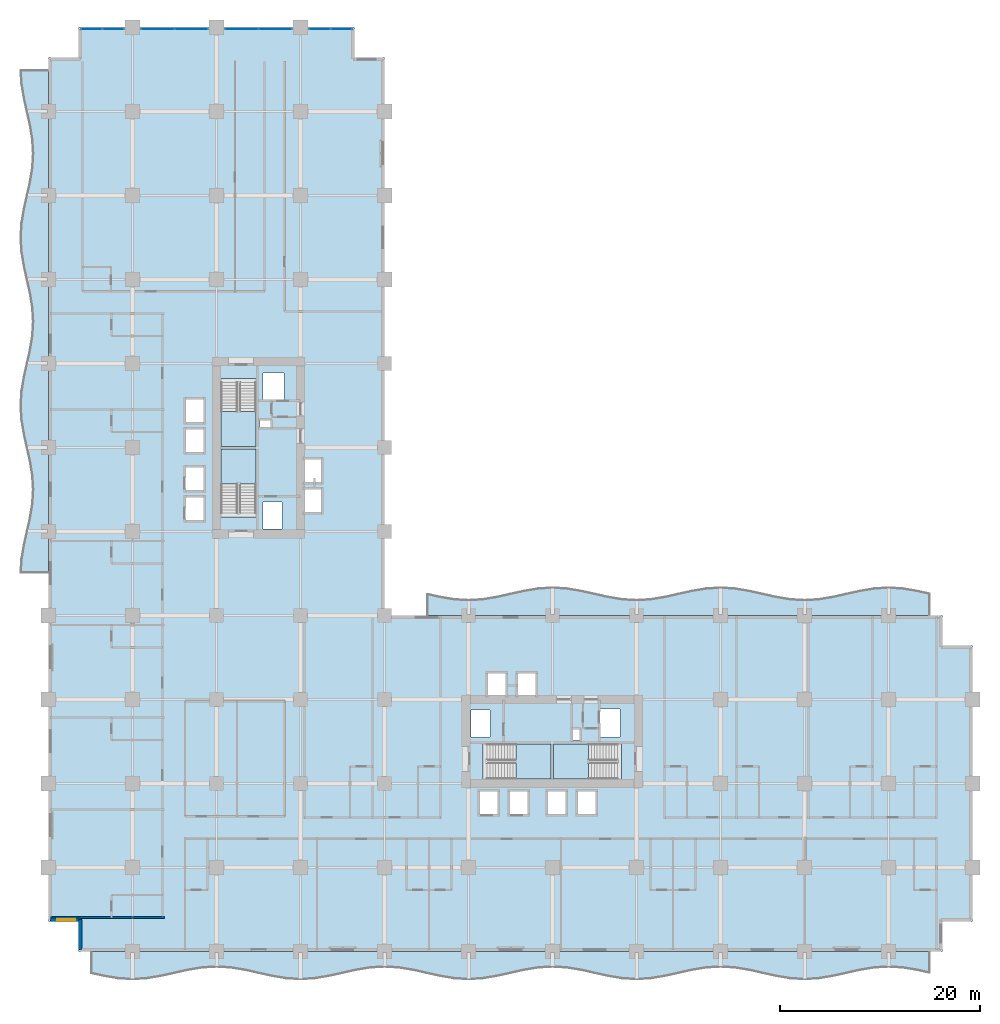
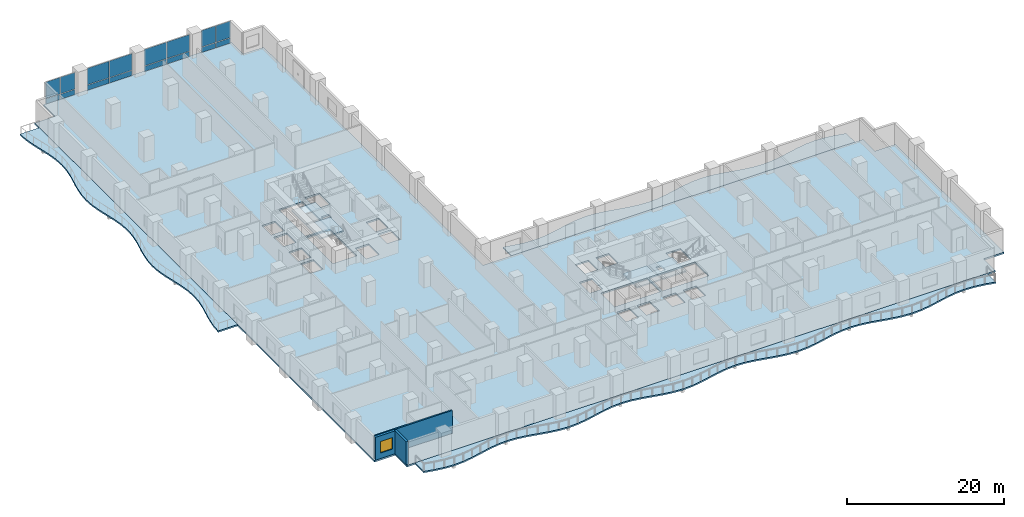
# One storey, part 6 of 24: 16 plates, 8 slabs, 3 walls, 1 window, 1 opening, 8 elements without a shape of their own.
"""IFC4 building model written with IfcOpenShell, lengths in metres."""

from ifc_helpers import new_model, si_unit, direction, frame, frame_2d, origin, origin_2d, place, context, subcontext, project, spatial, polyline, rectangle, outline, extrude, material, layer, layer_set, type_object, element, fill, aggregate, save


model = new_model("IFC4")

# Units and contexts
model_context = context("Model", 3, precision=1e-05, world=origin(), true_north=direction((0.0, 1.0)))
body_context = subcontext(model_context, "Body", "Model", "MODEL_VIEW")
ifc_project = project(units=[si_unit("LENGTHUNIT", "METRE"), si_unit("AREAUNIT", "SQUARE_METRE"), si_unit("VOLUMEUNIT", "CUBIC_METRE"), si_unit("PLANEANGLEUNIT", "RADIAN"), si_unit("MASSUNIT", "GRAM", prefix="KILO")], contexts=[model_context])

# Site, building, storey
site_placement = place(None, origin())
site = spatial("IfcSite", under=ifc_project, at=site_placement, CompositionType="ELEMENT")
building_placement = place(site_placement, origin())
building = spatial("IfcBuilding", under=site, at=building_placement, Name="Koriwani Terraces Tower", CompositionType="ELEMENT")
storey_placement = place(building_placement, frame((0.0, 0.0, 47.199951171875)))
storey = spatial("IfcBuildingStorey", under=building, at=storey_placement, Name="L10", CompositionType="ELEMENT", Elevation=47.199951171875)

# Curtain wall, plates
ifc_material_1 = material(Name="Anodised Bronze Aluminium", Category="aluminium")
ifc_layer_1 = layer(ifc_material_1, 0.179931640625, Name="Anodised Bronze Aluminium")
ifc_layer_set_1 = layer_set([ifc_layer_1], Name="Anodised Bronze Aluminium")
curtain_wall_type = type_object("IfcCurtainWallType", Name="CW_HOTEL_ZONE1", PredefinedType="NOTDEFINED", material=ifc_layer_set_1)
curtain_wall_1_placement = place(storey_placement, origin())
curtain_wall_1 = element("IfcCurtainWall", 1, at=curtain_wall_1_placement, inside=storey, type_object=curtain_wall_type, Name="L10 Unitised Curtain Wall (N_TIP) Bay 1", PredefinedType="NOTDEFINED")
ifc_material_2 = material(Name="Tempered Laminated Low-E Glass", Category="glass")
ifc_layer_2 = layer(ifc_material_2, 0.028076171875, Name="Tempered Laminated Low-E Glass")
ifc_layer_set_2 = layer_set([ifc_layer_2], Name="Tempered Laminated Low-E Glass")
plate_type = type_object("IfcPlateType", Name="CW_PANEL_VISION_28", PredefinedType="CURTAIN_PANEL", material=ifc_layer_set_2)
plate_1_placement = place(storey_placement, frame((4.297607421875, 92.22509765625, 0.06494140625), z_axis=(0.0, 0.0, 1.0), x_axis=(1.0, 0.0, 0.0)))
plate_1 = element("IfcPlate", 2, at=plate_1_placement, type_object=plate_type, Name="CW-Z1 panel 1.1", PredefinedType="CURTAIN_PANEL", context=body_context, shape_type="SweptSolid", body=[
    extrude(rectangle(XDim=2.094970703125, YDim=0.028076171875, at=origin_2d()), origin(), (0.0, 0.0, 1.0), 0.802490234375),
])
plate_2_placement = place(storey_placement, frame((4.297607421875, 92.22509765625, 0.9326171875), z_axis=(0.0, 0.0, 1.0), x_axis=(1.0, 0.0, 0.0)))
plate_2 = element("IfcPlate", 3, at=plate_2_placement, type_object=plate_type, Name="CW-Z1 panel 1.2", PredefinedType="CURTAIN_PANEL", context=body_context, shape_type="SweptSolid", body=[
    extrude(rectangle(XDim=2.094970703125, YDim=0.028076171875, at=origin_2d()), origin(), (0.0, 0.0, 1.0), 2.552490234375),
])
plate_3_placement = place(storey_placement, frame((6.467529296875, 92.22509765625, 0.06494140625), z_axis=(0.0, 0.0, 1.0), x_axis=(1.0, 0.0, 0.0)))
plate_3 = element("IfcPlate", 4, at=plate_3_placement, type_object=plate_type, Name="CW-Z1 panel 2.1", PredefinedType="CURTAIN_PANEL", context=body_context, shape_type="SweptSolid", body=[
    extrude(rectangle(XDim=2.094970703125, YDim=0.028076171875, at=origin_2d()), origin(), (0.0, 0.0, 1.0), 0.802490234375),
])
plate_4_placement = place(storey_placement, frame((6.467529296875, 92.22509765625, 0.9326171875), z_axis=(0.0, 0.0, 1.0), x_axis=(1.0, 0.0, 0.0)))
plate_4 = element("IfcPlate", 5, at=plate_4_placement, type_object=plate_type, Name="CW-Z1 panel 2.2", PredefinedType="CURTAIN_PANEL", context=body_context, shape_type="SweptSolid", body=[
    extrude(rectangle(XDim=2.094970703125, YDim=0.028076171875, at=origin_2d()), origin(), (0.0, 0.0, 1.0), 2.552490234375),
])
aggregate(curtain_wall_1, [plate_1, plate_2, plate_3, plate_4])

curtain_wall_2_placement = place(storey_placement, origin())
curtain_wall_2 = element("IfcCurtainWall", 6, at=curtain_wall_2_placement, inside=storey, type_object=curtain_wall_type, Name="L10 Unitised Curtain Wall (N_TIP) Bay 2", PredefinedType="NOTDEFINED")
plate_5_placement = place(storey_placement, frame((10.923828125, 92.22509765625, 0.06494140625), z_axis=(0.0, 0.0, 1.0), x_axis=(1.0, 0.0, 0.0)))
plate_5 = element("IfcPlate", 7, at=plate_5_placement, type_object=plate_type, Name="CW-Z1 panel 1.1", PredefinedType="CURTAIN_PANEL", context=body_context, shape_type="SweptSolid", body=[
    extrude(rectangle(XDim=3.277587890625, YDim=0.028076171875, at=origin_2d()), origin(), (0.0, 0.0, 1.0), 0.802490234375),
])
plate_6_placement = place(storey_placement, frame((10.923828125, 92.22509765625, 0.9326171875), z_axis=(0.0, 0.0, 1.0), x_axis=(1.0, 0.0, 0.0)))
plate_6 = element("IfcPlate", 8, at=plate_6_placement, type_object=plate_type, Name="CW-Z1 panel 1.2", PredefinedType="CURTAIN_PANEL", context=body_context, shape_type="SweptSolid", body=[
    extrude(rectangle(XDim=3.277587890625, YDim=0.028076171875, at=origin_2d()), origin(), (0.0, 0.0, 1.0), 2.552490234375),
])
plate_7_placement = place(storey_placement, frame((14.2763671875, 92.22509765625, 0.06494140625), z_axis=(0.0, 0.0, 1.0), x_axis=(1.0, 0.0, 0.0)))
plate_7 = element("IfcPlate", 9, at=plate_7_placement, type_object=plate_type, Name="CW-Z1 panel 2.1", PredefinedType="CURTAIN_PANEL", context=body_context, shape_type="SweptSolid", body=[
    extrude(rectangle(XDim=3.277587890625, YDim=0.028076171875, at=origin_2d()), origin(), (0.0, 0.0, 1.0), 0.802490234375),
])
plate_8_placement = place(storey_placement, frame((14.2763671875, 92.22509765625, 0.9326171875), z_axis=(0.0, 0.0, 1.0), x_axis=(1.0, 0.0, 0.0)))
plate_8 = element("IfcPlate", 10, at=plate_8_placement, type_object=plate_type, Name="CW-Z1 panel 2.2", PredefinedType="CURTAIN_PANEL", context=body_context, shape_type="SweptSolid", body=[
    extrude(rectangle(XDim=3.277587890625, YDim=0.028076171875, at=origin_2d()), origin(), (0.0, 0.0, 1.0), 2.552490234375),
])
aggregate(curtain_wall_2, [plate_5, plate_6, plate_7, plate_8])

curtain_wall_3_placement = place(storey_placement, origin())
curtain_wall_3 = element("IfcCurtainWall", 11, at=curtain_wall_3_placement, inside=storey, type_object=curtain_wall_type, Name="L10 Unitised Curtain Wall (N_TIP) Bay 3", PredefinedType="NOTDEFINED")
plate_9_placement = place(storey_placement, frame((19.32373046875, 92.22509765625, 0.06494140625), z_axis=(0.0, 0.0, 1.0), x_axis=(1.0, 0.0, 0.0)))
plate_9 = element("IfcPlate", 12, at=plate_9_placement, type_object=plate_type, Name="CW-Z1 panel 1.1", PredefinedType="CURTAIN_PANEL", context=body_context, shape_type="SweptSolid", body=[
    extrude(rectangle(XDim=3.277587890625, YDim=0.028076171875, at=origin_2d()), origin(), (0.0, 0.0, 1.0), 0.802490234375),
])
plate_10_placement = place(storey_placement, frame((19.32373046875, 92.22509765625, 0.9326171875), z_axis=(0.0, 0.0, 1.0), x_axis=(1.0, 0.0, 0.0)))
plate_10 = element("IfcPlate", 13, at=plate_10_placement, type_object=plate_type, Name="CW-Z1 panel 1.2", PredefinedType="CURTAIN_PANEL", context=body_context, shape_type="SweptSolid", body=[
    extrude(rectangle(XDim=3.277587890625, YDim=0.028076171875, at=origin_2d()), origin(), (0.0, 0.0, 1.0), 2.552490234375),
])
plate_11_placement = place(storey_placement, frame((22.67626953125, 92.22509765625, 0.06494140625), z_axis=(0.0, 0.0, 1.0), x_axis=(1.0, 0.0, 0.0)))
plate_11 = element("IfcPlate", 14, at=plate_11_placement, type_object=plate_type, Name="CW-Z1 panel 2.1", PredefinedType="CURTAIN_PANEL", context=body_context, shape_type="SweptSolid", body=[
    extrude(rectangle(XDim=3.277587890625, YDim=0.028076171875, at=origin_2d()), origin(), (0.0, 0.0, 1.0), 0.802490234375),
])
plate_12_placement = place(storey_placement, frame((22.67626953125, 92.22509765625, 0.9326171875), z_axis=(0.0, 0.0, 1.0), x_axis=(1.0, 0.0, 0.0)))
plate_12 = element("IfcPlate", 15, at=plate_12_placement, type_object=plate_type, Name="CW-Z1 panel 2.2", PredefinedType="CURTAIN_PANEL", context=body_context, shape_type="SweptSolid", body=[
    extrude(rectangle(XDim=3.277587890625, YDim=0.028076171875, at=origin_2d()), origin(), (0.0, 0.0, 1.0), 2.552490234375),
])
aggregate(curtain_wall_3, [plate_9, plate_10, plate_11, plate_12])

curtain_wall_4_placement = place(storey_placement, origin())
curtain_wall_4 = element("IfcCurtainWall", 16, at=curtain_wall_4_placement, inside=storey, type_object=curtain_wall_type, Name="L10 Unitised Curtain Wall (N_TIP) Bay 4", PredefinedType="NOTDEFINED")
plate_13_placement = place(storey_placement, frame((27.132568359375, 92.22509765625, 0.06494140625), z_axis=(0.0, 0.0, 1.0), x_axis=(1.0, 0.0, 0.0)))
plate_13 = element("IfcPlate", 17, at=plate_13_placement, type_object=plate_type, Name="CW-Z1 panel 1.1", PredefinedType="CURTAIN_PANEL", context=body_context, shape_type="SweptSolid", body=[
    extrude(rectangle(XDim=2.094970703125, YDim=0.028076171875, at=origin_2d()), origin(), (0.0, 0.0, 1.0), 0.802490234375),
])
plate_14_placement = place(storey_placement, frame((27.132568359375, 92.22509765625, 0.9326171875), z_axis=(0.0, 0.0, 1.0), x_axis=(1.0, 0.0, 0.0)))
plate_14 = element("IfcPlate", 18, at=plate_14_placement, type_object=plate_type, Name="CW-Z1 panel 1.2", PredefinedType="CURTAIN_PANEL", context=body_context, shape_type="SweptSolid", body=[
    extrude(rectangle(XDim=2.094970703125, YDim=0.028076171875, at=origin_2d()), origin(), (0.0, 0.0, 1.0), 2.552490234375),
])
plate_15_placement = place(storey_placement, frame((29.302490234375, 92.22509765625, 0.06494140625), z_axis=(0.0, 0.0, 1.0), x_axis=(1.0, 0.0, 0.0)))
plate_15 = element("IfcPlate", 19, at=plate_15_placement, type_object=plate_type, Name="CW-Z1 panel 2.1", PredefinedType="CURTAIN_PANEL", context=body_context, shape_type="SweptSolid", body=[
    extrude(rectangle(XDim=2.094970703125, YDim=0.028076171875, at=origin_2d()), origin(), (0.0, 0.0, 1.0), 0.802490234375),
])
plate_16_placement = place(storey_placement, frame((29.302490234375, 92.22509765625, 0.9326171875), z_axis=(0.0, 0.0, 1.0), x_axis=(1.0, 0.0, 0.0)))
plate_16 = element("IfcPlate", 20, at=plate_16_placement, type_object=plate_type, Name="CW-Z1 panel 2.2", PredefinedType="CURTAIN_PANEL", context=body_context, shape_type="SweptSolid", body=[
    extrude(rectangle(XDim=2.094970703125, YDim=0.028076171875, at=origin_2d()), origin(), (0.0, 0.0, 1.0), 2.552490234375),
])
aggregate(curtain_wall_4, [plate_13, plate_14, plate_15, plate_16])

# Slabs
ifc_material_3 = material(Name="Concrete C40/50", Category="concrete")
ifc_layer_3 = layer(ifc_material_3, 0.219970703125, Name="Concrete C40/50")
ifc_layer_set_3 = layer_set([ifc_layer_3], Name="Concrete C40/50")
slab_type_1 = type_object("IfcSlabType", Name="SLAB_BALCONY_220", PredefinedType="FLOOR", material=ifc_layer_set_3)
slab_1_placement = place(storey_placement, frame((0.0, 0.0, -0.219970703125)))
element("IfcSlab", 21, at=slab_1_placement, inside=storey, type_object=slab_type_1, Name="L10 Quilted Circular-Arc Balcony (S)", PredefinedType="FLOOR", context=body_context, shape_type="SweptSolid", body=[
    extrude(outline(polyline([(4.199951171875, 0.0), (5.60009765625, 0.0), (7.0, 0.0), (8.39990234375, 0.0), (9.800048828125, 0.0), (11.199951171875, 0.0), (12.60009765625, 0.0), (14.0, 0.0), (15.39990234375, 0.0), (16.800048828125, 0.0), (18.199951171875, 0.0), (19.60009765625, 0.0), (21.0, 0.0), (22.39990234375, 0.0), (23.800048828125, 0.0), (25.199951171875, 0.0), (26.60009765625, 0.0), (28.0, 0.0), (29.39990234375, 0.0), (30.800048828125, 0.0), (32.199951171875, 0.0), (33.60009765625, 0.0), (35.0, 0.0), (36.39990234375, 0.0), (37.800048828125, 0.0), (39.199951171875, 0.0), (40.60009765625, 0.0), (42.0, 0.0), (43.39990234375, 0.0), (44.800048828125, 0.0), (46.199951171875, 0.0), (47.60009765625, 0.0), (49.0, 0.0), (50.39990234375, 0.0), (51.800048828125, 0.0), (53.199951171875, 0.0), (54.60009765625, 0.0), (56.0, 0.0), (57.39990234375, 0.0), (58.800048828125, 0.0), (60.199951171875, 0.0), (61.60009765625, 0.0), (63.0, 0.0), (64.39990234375, 0.0), (65.800048828125, 0.0), (67.199951171875, 0.0), (68.60009765625, 0.0), (70.0, 0.0), (71.39990234375, 0.0), (72.800048828125, 0.0), (74.199951171875, 0.0), (75.60009765625, 0.0), (77.0, 0.0), (78.39990234375, 0.0), (79.800048828125, 0.0), (81.199951171875, 0.0), (82.60009765625, 0.0), (84.0, 0.0), (85.39990234375, 0.0), (86.800048828125, 0.0), (88.199951171875, 0.0), (88.199951171875, -2.22509765625), (86.800048828125, -1.91259765625), (85.39990234375, -1.68359375), (84.0, -1.60009765625), (82.60009765625, -1.68359375), (81.199951171875, -1.91259765625), (79.800048828125, -2.22509765625), (78.39990234375, -2.53759765625), (77.0, -2.766357421875), (75.60009765625, -2.85009765625), (74.199951171875, -2.766357421875), (72.800048828125, -2.53759765625), (71.39990234375, -2.22509765625), (70.0, -1.91259765625), (68.60009765625, -1.68359375), (67.199951171875, -1.60009765625), (65.800048828125, -1.68359375), (64.39990234375, -1.91259765625), (63.0, -2.22509765625), (61.60009765625, -2.53759765625), (60.199951171875, -2.766357421875), (58.800048828125, -2.85009765625), (57.39990234375, -2.766357421875), (56.0, -2.53759765625), (54.60009765625, -2.22509765625), (53.199951171875, -1.91259765625), (51.800048828125, -1.68359375), (50.39990234375, -1.60009765625), (49.0, -1.68359375), (47.60009765625, -1.91259765625), (46.199951171875, -2.22509765625), (44.800048828125, -2.53759765625), (43.39990234375, -2.766357421875), (42.0, -2.85009765625), (40.60009765625, -2.766357421875), (39.199951171875, -2.53759765625), (37.800048828125, -2.22509765625), (36.39990234375, -1.91259765625), (35.0, -1.68359375), (33.60009765625, -1.60009765625), (32.199951171875, -1.68359375), (30.800048828125, -1.91259765625), (29.39990234375, -2.22509765625), (28.0, -2.53759765625), (26.60009765625, -2.766357421875), (25.199951171875, -2.85009765625), (23.800048828125, -2.766357421875), (22.39990234375, -2.53759765625), (21.0, -2.22509765625), (19.60009765625, -1.91259765625), (18.199951171875, -1.68359375), (16.800048828125, -1.60009765625), (15.39990234375, -1.68359375), (14.0, -1.91259765625), (12.60009765625, -2.22509765625), (11.199951171875, -2.53759765625), (9.800048828125, -2.766357421875), (8.39990234375, -2.85009765625), (7.0, -2.766357421875), (5.60009765625, -2.53759765625), (4.199951171875, -2.22509765625), (4.199951171875, 0.0)])), origin(), (0.0, 0.0, 1.0), 0.219970703125),
])
slab_2_placement = place(storey_placement, frame((0.0, 0.0, -0.219970703125)))
element("IfcSlab", 22, at=slab_2_placement, inside=storey, type_object=slab_type_1, Name="L10 Quilted Circular-Arc Balcony (W)", PredefinedType="FLOOR", context=body_context, shape_type="SweptSolid", body=[
    extrude(outline(polyline([(0.0, 37.800048828125), (0.0, 39.199951171875), (0.0, 40.60009765625), (0.0, 42.0), (0.0, 43.39990234375), (0.0, 44.800048828125), (0.0, 46.199951171875), (0.0, 47.60009765625), (0.0, 49.0), (0.0, 50.39990234375), (0.0, 51.800048828125), (0.0, 53.199951171875), (0.0, 54.60009765625), (0.0, 56.0), (0.0, 57.39990234375), (0.0, 58.800048828125), (0.0, 60.199951171875), (0.0, 61.60009765625), (0.0, 63.0), (0.0, 64.39990234375), (0.0, 65.800048828125), (0.0, 67.199951171875), (0.0, 68.60009765625), (0.0, 70.0), (0.0, 71.39990234375), (0.0, 72.800048828125), (0.0, 74.199951171875), (0.0, 75.60009765625), (0.0, 77.0), (0.0, 78.39990234375), (0.0, 79.800048828125), (0.0, 81.199951171875), (0.0, 82.60009765625), (0.0, 84.0), (0.0, 85.39990234375), (0.0, 86.800048828125), (0.0, 88.199951171875), (-2.85009765625, 88.199951171875), (-2.766357421875, 86.800048828125), (-2.53759765625, 85.39990234375), (-2.22509765625, 84.0), (-1.91259765625, 82.60009765625), (-1.68359375, 81.199951171875), (-1.60009765625, 79.800048828125), (-1.68359375, 78.39990234375), (-1.91259765625, 77.0), (-2.22509765625, 75.60009765625), (-2.53759765625, 74.199951171875), (-2.766357421875, 72.800048828125), (-2.85009765625, 71.39990234375), (-2.766357421875, 70.0), (-2.53759765625, 68.60009765625), (-2.22509765625, 67.199951171875), (-1.91259765625, 65.800048828125), (-1.68359375, 64.39990234375), (-1.60009765625, 63.0), (-1.68359375, 61.60009765625), (-1.91259765625, 60.199951171875), (-2.22509765625, 58.800048828125), (-2.53759765625, 57.39990234375), (-2.766357421875, 56.0), (-2.85009765625, 54.60009765625), (-2.766357421875, 53.199951171875), (-2.53759765625, 51.800048828125), (-2.22509765625, 50.39990234375), (-1.91259765625, 49.0), (-1.68359375, 47.60009765625), (-1.60009765625, 46.199951171875), (-1.68359375, 44.800048828125), (-1.91259765625, 43.39990234375), (-2.22509765625, 42.0), (-2.53759765625, 40.60009765625), (-2.766357421875, 39.199951171875), (-2.85009765625, 37.800048828125), (0.0, 37.800048828125)])), origin(), (0.0, 0.0, 1.0), 0.219970703125),
])
slab_3_placement = place(storey_placement, frame((0.0, 0.0, -0.219970703125)))
element("IfcSlab", 23, at=slab_3_placement, inside=storey, type_object=slab_type_1, Name="L10 Quilted Circular-Arc Balcony (NE)", PredefinedType="FLOOR", context=body_context, shape_type="SweptSolid", body=[
    extrude(outline(polyline([(88.199951171875, 33.60009765625), (86.800048828125, 33.60009765625), (85.39990234375, 33.60009765625), (84.0, 33.60009765625), (82.60009765625, 33.60009765625), (81.199951171875, 33.60009765625), (79.800048828125, 33.60009765625), (78.39990234375, 33.60009765625), (77.0, 33.60009765625), (75.60009765625, 33.60009765625), (74.199951171875, 33.60009765625), (72.800048828125, 33.60009765625), (71.39990234375, 33.60009765625), (70.0, 33.60009765625), (68.60009765625, 33.60009765625), (67.199951171875, 33.60009765625), (65.800048828125, 33.60009765625), (64.39990234375, 33.60009765625), (63.0, 33.60009765625), (61.60009765625, 33.60009765625), (60.199951171875, 33.60009765625), (58.800048828125, 33.60009765625), (57.39990234375, 33.60009765625), (56.0, 33.60009765625), (54.60009765625, 33.60009765625), (53.199951171875, 33.60009765625), (51.800048828125, 33.60009765625), (50.39990234375, 33.60009765625), (49.0, 33.60009765625), (47.60009765625, 33.60009765625), (46.199951171875, 33.60009765625), (44.800048828125, 33.60009765625), (43.39990234375, 33.60009765625), (42.0, 33.60009765625), (40.60009765625, 33.60009765625), (39.199951171875, 33.60009765625), (37.800048828125, 33.60009765625), (37.800048828125, 35.824951171875), (39.199951171875, 35.512451171875), (40.60009765625, 35.28369140625), (42.0, 35.199951171875), (43.39990234375, 35.28369140625), (44.800048828125, 35.512451171875), (46.199951171875, 35.824951171875), (47.60009765625, 36.137451171875), (49.0, 36.3662109375), (50.39990234375, 36.449951171875), (51.800048828125, 36.3662109375), (53.199951171875, 36.137451171875), (54.60009765625, 35.824951171875), (56.0, 35.512451171875), (57.39990234375, 35.28369140625), (58.800048828125, 35.199951171875), (60.199951171875, 35.28369140625), (61.60009765625, 35.512451171875), (63.0, 35.824951171875), (64.39990234375, 36.137451171875), (65.800048828125, 36.3662109375), (67.199951171875, 36.449951171875), (68.60009765625, 36.3662109375), (70.0, 36.137451171875), (71.39990234375, 35.824951171875), (72.800048828125, 35.512451171875), (74.199951171875, 35.28369140625), (75.60009765625, 35.199951171875), (77.0, 35.28369140625), (78.39990234375, 35.512451171875), (79.800048828125, 35.824951171875), (81.199951171875, 36.137451171875), (82.60009765625, 36.3662109375), (84.0, 36.449951171875), (85.39990234375, 36.3662109375), (86.800048828125, 36.137451171875), (88.199951171875, 35.824951171875), (88.199951171875, 33.60009765625)])), origin(), (0.0, 0.0, 1.0), 0.219970703125),
])

# Stair, slab
stair_type = type_object("IfcStairType", Name="STAIR_CORE_DOGLEG_1650", PredefinedType="TWO_STRAIGHT_RUN_STAIR", material=ifc_material_3)
stair_1_placement = place(storey_placement, origin())
stair_1 = element("IfcStair", 24, at=stair_1_placement, inside=storey, type_object=stair_type, Name="L10 West Core Exit Stair 1", PredefinedType="HALF_TURN_STAIR")
ifc_layer_4 = layer(ifc_material_3, 0.199951171875, Name="Concrete C40/50")
ifc_layer_set_4 = layer_set([ifc_layer_4], Name="Concrete C40/50")
slab_type_2 = type_object("IfcSlabType", Name="SLAB_STAIR_LANDING_200", PredefinedType="LANDING", material=ifc_layer_set_4)
slab_4_placement = place(storey_placement, frame((0.0, 0.0, 1.699951171875)))
slab_4 = element("IfcSlab", 25, at=slab_4_placement, type_object=slab_type_2, Name="ST-W1 landing 1", PredefinedType="LANDING", context=body_context, shape_type="SweptSolid", body=[
    extrude(outline(polyline([(20.75, 46.75), (20.75, 50.25), (17.25, 50.25), (17.25, 46.75), (20.75, 46.75)])), origin(), (0.0, 0.0, 1.0), 0.2001953125),
])
aggregate(stair_1, [slab_4])

stair_2_placement = place(storey_placement, origin())
stair_2 = element("IfcStair", 26, at=stair_2_placement, inside=storey, type_object=stair_type, Name="L10 West Core Exit Stair 2", PredefinedType="HALF_TURN_STAIR")
slab_5_placement = place(storey_placement, frame((0.0, 0.0, 1.699951171875)))
slab_5 = element("IfcSlab", 27, at=slab_5_placement, type_object=slab_type_2, Name="ST-W2 landing 1", PredefinedType="LANDING", context=body_context, shape_type="SweptSolid", body=[
    extrude(outline(polyline([(17.25, 54.0), (17.25, 50.5), (20.75, 50.5), (20.75, 54.0), (17.25, 54.0)])), origin(), (0.0, 0.0, 1.0), 0.2001953125),
])
aggregate(stair_2, [slab_5])

stair_3_placement = place(storey_placement, origin())
stair_3 = element("IfcStair", 28, at=stair_3_placement, inside=storey, type_object=stair_type, Name="L10 East Core Exit Stair 1", PredefinedType="HALF_TURN_STAIR")
slab_6_placement = place(storey_placement, frame((0.0, 0.0, 1.699951171875)))
slab_6 = element("IfcSlab", 29, at=slab_6_placement, type_object=slab_type_2, Name="ST-E1 landing 1", PredefinedType="LANDING", context=body_context, shape_type="SweptSolid", body=[
    extrude(outline(polyline([(46.75, 17.25), (50.25, 17.25), (50.25, 20.75), (46.75, 20.75), (46.75, 17.25)])), origin(), (0.0, 0.0, 1.0), 0.2001953125),
])
aggregate(stair_3, [slab_6])

stair_4_placement = place(storey_placement, origin())
stair_4 = element("IfcStair", 30, at=stair_4_placement, inside=storey, type_object=stair_type, Name="L10 East Core Exit Stair 2", PredefinedType="HALF_TURN_STAIR")
slab_7_placement = place(storey_placement, frame((0.0, 0.0, 1.699951171875)))
slab_7 = element("IfcSlab", 31, at=slab_7_placement, type_object=slab_type_2, Name="ST-E2 landing 1", PredefinedType="LANDING", context=body_context, shape_type="SweptSolid", body=[
    extrude(outline(polyline([(54.0, 20.75), (50.5, 20.75), (50.5, 17.25), (54.0, 17.25), (54.0, 20.75)])), origin(), (0.0, 0.0, 1.0), 0.2001953125),
])
aggregate(stair_4, [slab_7])

# Slab
ifc_layer_5 = layer(ifc_material_3, 0.25, Name="Concrete C40/50")
ifc_layer_set_5 = layer_set([ifc_layer_5], Name="Concrete C40/50")
slab_type_3 = type_object("IfcSlabType", Name="SLAB_TOWER_TYP_250", PredefinedType="FLOOR", material=ifc_layer_set_5)
slab_8_placement = place(storey_placement, frame((0.0, 0.0, -0.25)))
element("IfcSlab", 32, at=slab_8_placement, inside=storey, type_object=slab_type_3, Name="L10 Structural Floor Slab", PredefinedType="FLOOR", context=body_context, shape_type="SweptSolid", body=[
    extrude(outline(polyline([(3.0, 0.0), (89.39990234375, 0.0), (89.39990234375, 3.0), (92.39990234375, 3.0), (92.39990234375, 30.60009765625), (89.39990234375, 30.60009765625), (89.39990234375, 33.60009765625), (33.60009765625, 33.60009765625), (33.60009765625, 89.39990234375), (30.60009765625, 89.39990234375), (30.60009765625, 92.39990234375), (3.0, 92.39990234375), (3.0, 89.39990234375), (0.0, 89.39990234375), (0.0, 3.0), (3.0, 3.0), (3.0, 0.0)]), holes=[polyline([(17.25, 43.4599609375), (20.75, 43.4599609375), (20.75, 50.25), (17.25, 50.25), (17.25, 43.4599609375)]), polyline([(17.25, 50.5), (20.75, 50.5), (20.75, 57.2900390625), (17.25, 57.2900390625), (17.25, 50.5)]), polyline([(43.4599609375, 17.25), (50.25, 17.25), (50.25, 20.75), (43.4599609375, 20.75), (43.4599609375, 17.25)]), polyline([(50.5, 17.25), (57.2900390625, 17.25), (57.2900390625, 20.75), (50.5, 20.75), (50.5, 17.25)]), polyline([(13.64990234375, 43.050048828125), (15.550048828125, 43.050048828125), (15.550048828125, 45.449951171875), (13.64990234375, 45.449951171875), (13.64990234375, 43.050048828125)]), polyline([(13.64990234375, 46.050048828125), (15.550048828125, 46.050048828125), (15.550048828125, 48.449951171875), (13.64990234375, 48.449951171875), (13.64990234375, 46.050048828125)]), polyline([(43.050048828125, 13.64990234375), (44.949951171875, 13.64990234375), (44.949951171875, 16.050048828125), (43.050048828125, 16.050048828125), (43.050048828125, 13.64990234375)]), polyline([(46.050048828125, 13.64990234375), (47.949951171875, 13.64990234375), (47.949951171875, 16.050048828125), (46.050048828125, 16.050048828125), (46.050048828125, 13.64990234375)]), polyline([(13.64990234375, 49.85009765625), (15.550048828125, 49.85009765625), (15.550048828125, 52.25), (13.64990234375, 52.25), (13.64990234375, 49.85009765625)]), polyline([(13.64990234375, 52.85009765625), (15.550048828125, 52.85009765625), (15.550048828125, 55.25), (13.64990234375, 55.25), (13.64990234375, 52.85009765625)]), polyline([(49.85009765625, 13.64990234375), (51.75, 13.64990234375), (51.75, 16.050048828125), (49.85009765625, 16.050048828125), (49.85009765625, 13.64990234375)]), polyline([(52.85009765625, 13.64990234375), (54.75, 13.64990234375), (54.75, 16.050048828125), (52.85009765625, 16.050048828125), (52.85009765625, 13.64990234375)]), polyline([(25.449951171875, 43.85009765625), (27.35009765625, 43.85009765625), (27.35009765625, 46.25), (25.449951171875, 46.25), (25.449951171875, 43.85009765625)]), polyline([(25.449951171875, 46.85009765625), (27.35009765625, 46.85009765625), (27.35009765625, 49.25), (25.449951171875, 49.25), (25.449951171875, 46.85009765625)]), polyline([(43.85009765625, 25.449951171875), (45.75, 25.449951171875), (45.75, 27.85009765625), (43.85009765625, 27.85009765625), (43.85009765625, 25.449951171875)]), polyline([(46.85009765625, 25.449951171875), (48.75, 25.449951171875), (48.75, 27.85009765625), (46.85009765625, 27.85009765625), (46.85009765625, 25.449951171875)]), polyline([(21.449951171875, 55.050048828125), (23.550048828125, 55.050048828125), (23.550048828125, 57.85009765625), (21.449951171875, 57.85009765625), (21.449951171875, 55.050048828125)]), polyline([(55.050048828125, 21.449951171875), (57.14990234375, 21.449951171875), (57.14990234375, 24.25), (55.050048828125, 24.25), (55.050048828125, 21.449951171875)]), polyline([(21.449951171875, 42.25), (23.35009765625, 42.25), (23.35009765625, 44.949951171875), (21.449951171875, 44.949951171875), (21.449951171875, 42.25)]), polyline([(42.25, 21.449951171875), (44.14990234375, 21.449951171875), (44.14990234375, 24.14990234375), (42.25, 24.14990234375), (42.25, 21.449951171875)]), polyline([(21.14990234375, 52.419921875), (22.219970703125, 52.419921875), (22.219970703125, 53.179931640625), (21.14990234375, 53.179931640625), (21.14990234375, 52.419921875)]), polyline([(52.419921875, 21.14990234375), (53.179931640625, 21.14990234375), (53.179931640625, 22.219970703125), (52.419921875, 22.219970703125), (52.419921875, 21.14990234375)])]), origin(), (0.0, 0.0, 1.0), 0.25),
])

# Walls
ifc_material_4 = material(Name="Autoclaved Cellular Concrete Blockwork", Category="masonry")
ifc_layer_6 = layer(ifc_material_4, 0.219970703125, Name="Autoclaved Cellular Concrete Blockwork")
ifc_layer_set_6 = layer_set([ifc_layer_6], Name="Autoclaved Cellular Concrete Blockwork")
wall_type_1 = type_object("IfcWallType", Name="WALL_DEMISING_220", PredefinedType="PARTITIONING", material=ifc_layer_set_6)
wall_1_placement = place(storey_placement, frame((0.199951171875, 3.39990234375, 0.0), z_axis=(0.0, 0.0, 1.0), x_axis=(1.0, 0.0, 0.0)))
element("IfcWall", 33, at=wall_1_placement, inside=storey, type_object=wall_type_1, Name="L10 Interior Wall WDEM-L10-NW-0", PredefinedType="PARTITIONING", context=body_context, shape_type="SweptSolid", body=[
    extrude(rectangle(XDim=11.380126953125, YDim=0.219970703125, at=frame_2d((5.68994140625, 0.0))), origin(), (0.0, 0.0, 1.0), 3.550048828125),
])
ifc_material_5 = material(Name="Concrete C50/60", Category="concrete")
ifc_layer_7 = layer(ifc_material_5, 0.35009765625, Name="Concrete C50/60")
ifc_layer_set_7 = layer_set([ifc_layer_7], Name="Concrete C50/60")
wall_type_2 = type_object("IfcWallType", Name="WALL_EXT_BRUTALIST_350", PredefinedType="STANDARD", material=ifc_layer_set_7)
wall_2_placement = place(storey_placement, frame((3.175048828125, 0.175048828125, 0.0), z_axis=(0.0, 0.0, 1.0), x_axis=(0.0, 1.0, 0.0)))
element("IfcWall", 34, at=wall_2_placement, inside=storey, type_object=wall_type_2, Name="L10 Fair-Faced Brutalist Exterior Wall (N0)", PredefinedType="STANDARD", context=body_context, shape_type="SweptSolid", body=[
    extrude(rectangle(XDim=3.0, YDim=0.35009765625, at=frame_2d((1.5, 0.0))), origin(), (0.0, 0.0, 1.0), 3.550048828125),
])

# Wall, opening, window
wall_3_placement = place(storey_placement, frame((3.175048828125, 3.175048828125, 0.0), z_axis=(0.0, 0.0, 1.0), x_axis=(-1.0, 0.0, 0.0)))
wall_3 = element("IfcWall", 35, at=wall_3_placement, inside=storey, type_object=wall_type_2, Name="L10 Fair-Faced Brutalist Exterior Wall (N1)", PredefinedType="STANDARD", context=body_context, shape_type="SweptSolid", body=[
    extrude(rectangle(XDim=3.0, YDim=0.35009765625, at=frame_2d((1.5, 0.0))), origin(), (0.0, 0.0, 1.0), 3.550048828125),
])
opening_placement = place(wall_3_placement, frame((0.5224609375, 0.0, 0.85009765625)))
opening = element("IfcOpeningElement", 36, at=opening_placement, cuts=wall_3, Name="Opening W-04", PredefinedType="OPENING", context=body_context, shape_type="SweptSolid", body=[
    extrude(rectangle(XDim=1.800048828125, YDim=1.800048828125, at=frame_2d((0.89990234375, 0.89990234375))), frame((0.0, 0.18505859375, 0.0), z_axis=(0.0, -1.0, 0.0), x_axis=(1.0, 0.0, 0.0)), (0.0, 0.0, 1.0), 0.3701171875),
])
window_type = type_object("IfcWindowType", Name="WIN_RES_BED_1800X1800", PartitioningType="DOUBLE_PANEL_VERTICAL", PredefinedType="WINDOW", material=ifc_material_2)
window_placement = place(opening_placement, origin())
window = element("IfcWindow", 37, at=window_placement, inside=storey, type_object=window_type, Name="L10 Exterior Window (N1-R37)", OverallHeight=1.800048828125, OverallWidth=1.800048828125, PartitioningType="SINGLE_PANEL", PredefinedType="WINDOW", context=body_context, shape_type="SweptSolid", body=[
    extrude(rectangle(XDim=1.800048828125, YDim=1.800048828125, at=frame_2d((0.89990234375, 0.89990234375))), frame((0.0, 0.030029296875, 0.0), z_axis=(0.0, -1.0, 0.0), x_axis=(1.0, 0.0, 0.0)), (0.0, 0.0, 1.0), 0.06005859375),
])
fill(opening, window)

save(model, "model.ifc")
